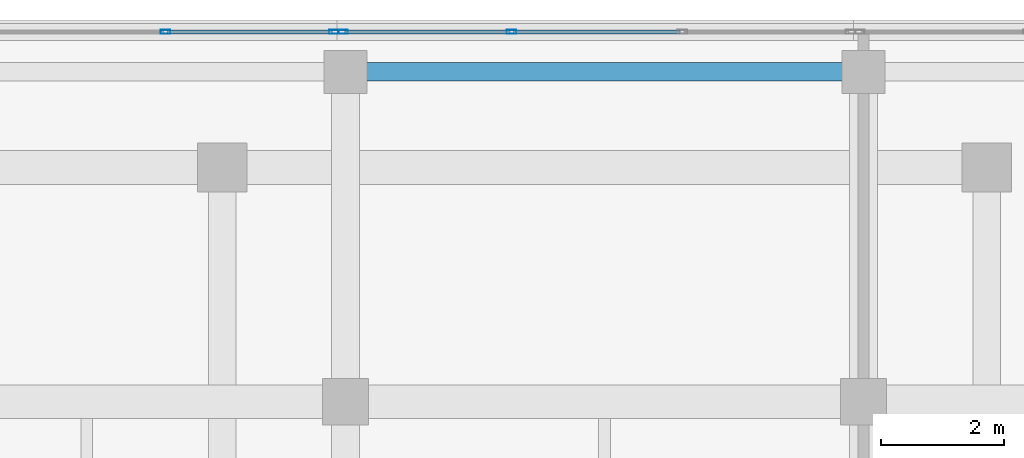
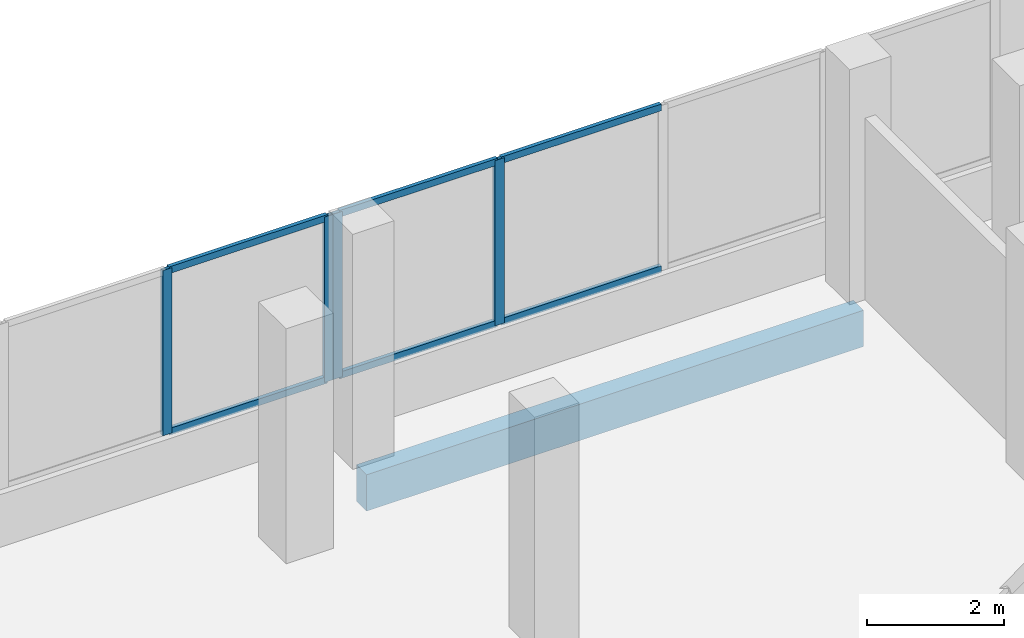
# One storey, part 102 of 184: 10 members, 1 beam, 2 elements without a shape of their own.
"""IFC4 building model written with IfcOpenShell, lengths in metres."""

from ifc_helpers import new_model, si_unit, direction, frame, origin, origin_2d, place, context, subcontext, project, spatial, rectangle, hollow_rectangle, extrude, material, material_profile, profile_set, type_object, element, aggregate, save


model = new_model("IFC4")

# Units and contexts
model_context = context("Model", 3, precision=1e-05, world=origin(), true_north=direction((0.0, 1.0)))
body_context = subcontext(model_context, "Body", "Model", "MODEL_VIEW")
ifc_project = project(units=[si_unit("LENGTHUNIT", "METRE"), si_unit("AREAUNIT", "SQUARE_METRE"), si_unit("VOLUMEUNIT", "CUBIC_METRE"), si_unit("PLANEANGLEUNIT", "RADIAN"), si_unit("MASSUNIT", "GRAM", prefix="KILO")], contexts=[model_context])

# Site, building, storey
site_placement = place(None, origin())
site = spatial("IfcSite", under=ifc_project, at=site_placement, CompositionType="ELEMENT")
building_placement = place(site_placement, origin())
building = spatial("IfcBuilding", under=site, at=building_placement, Name="Selatvlak General Hospital", CompositionType="ELEMENT")
storey_placement = place(building_placement, frame((0.0, 0.0, 15.0)))
storey = spatial("IfcBuildingStorey", under=building, at=storey_placement, Name="L03", CompositionType="ELEMENT", Elevation=15.0)

# Beam
ifc_material_1 = material(Name="Concrete C40/50", Category="concrete")
ifc_material_profile_1 = material_profile(ifc_material_1, rectangle(XDim=0.300048828125, YDim=0.64990234375, at=origin_2d()), Name="RC-SP 300x650")
ifc_profile_set_1 = profile_set([ifc_material_profile_1], Name="Concrete C40/50")
beam_type = type_object("IfcBeamType", Name="BM-SP1", PredefinedType="SPANDREL", material=ifc_profile_set_1)
beam_placement = place(storey_placement, frame((73.199951171875, 119.35009765625, -0.6650390625), z_axis=(1.0, 0.0, 0.0), x_axis=(0.0, 1.0, 0.0)))
element("IfcBeam", 1, at=beam_placement, inside=storey, type_object=beam_type, Name="Beam BMR-L03-1280", PredefinedType="SPANDREL", context=body_context, shape_type="SweptSolid", body=[
    extrude(rectangle(XDim=0.300048828125, YDim=0.64990234375, at=origin_2d()), origin(), (0.0, 0.0, 1.0), 8.400146484375),
])

# Curtain wall, members
ifc_material_2 = material(Name="Solar-control Low-E double glazing", Category="glass")
curtain_wall_type_1 = type_object("IfcCurtainWallType", Name="CW-CW-01", PredefinedType="USERDEFINED", material=ifc_material_2)
curtain_wall_1_placement = place(storey_placement, origin())
curtain_wall_1 = element("IfcCurtainWall", 2, at=curtain_wall_1_placement, inside=storey, type_object=curtain_wall_type_1, Name="Glazed facade curtain wall CW-L03-0370", ObjectType="UNITISED CURTAIN WALL", PredefinedType="USERDEFINED")
ifc_material_3 = material(Name="Dark anodised aluminium mullion", Category="aluminium")
ifc_material_profile_2 = material_profile(ifc_material_3, hollow_rectangle(XDim=0.06494140625, YDim=0.159912109375, WallThickness=0.00390625, at=origin_2d()), Name="AL-MUL 65x160x4")
ifc_profile_set_2 = profile_set([ifc_material_profile_2], Name="Dark anodised aluminium mullion")
member_type_1 = type_object("IfcMemberType", Name="CWM-01", PredefinedType="MULLION", material=ifc_profile_set_2)
member_1_placement = place(storey_placement, frame((70.2783203125, 119.9990234375, 0.93994140625), z_axis=(0.0, 0.0, 1.0), x_axis=(0.0, 1.0, 0.0)))
member_1 = element("IfcMember", 3, at=member_1_placement, type_object=member_type_1, Name="CW-01 mullion 3", PredefinedType="MULLION", context=body_context, shape_type="SweptSolid", body=[
    extrude(hollow_rectangle(XDim=0.06494140625, YDim=0.159912109375, WallThickness=0.00390625, at=origin_2d()), origin(), (0.0, 0.0, 1.0), 2.955078125),
])
member_2_placement = place(storey_placement, frame((73.012451171875, 119.9990234375, 0.93994140625), z_axis=(0.0, 0.0, 1.0), x_axis=(0.0, 1.0, 0.0)))
member_2 = element("IfcMember", 4, at=member_2_placement, type_object=member_type_1, Name="CW-01 mullion 4", PredefinedType="MULLION", context=body_context, shape_type="SweptSolid", body=[
    extrude(hollow_rectangle(XDim=0.06494140625, YDim=0.159912109375, WallThickness=0.00390625, at=origin_2d()), origin(), (0.0, 0.0, 1.0), 2.955078125),
])

curtain_wall_type_2 = type_object("IfcCurtainWallType", Name="CW-CW-02", PredefinedType="USERDEFINED", material=ifc_material_2)
curtain_wall_2_placement = place(storey_placement, origin())
curtain_wall_2 = element("IfcCurtainWall", 5, at=curtain_wall_2_placement, inside=storey, type_object=curtain_wall_type_2, Name="Glazed facade curtain wall CW-L03-0371", ObjectType="UNITISED CURTAIN WALL", PredefinedType="USERDEFINED")
member_3_placement = place(storey_placement, frame((73.157470703125, 119.9990234375, 0.93994140625), z_axis=(0.0, 0.0, 1.0), x_axis=(0.0, 1.0, 0.0)))
member_3 = element("IfcMember", 6, at=member_3_placement, type_object=member_type_1, Name="CW-02 mullion 1", PredefinedType="MULLION", context=body_context, shape_type="SweptSolid", body=[
    extrude(hollow_rectangle(XDim=0.06494140625, YDim=0.159912109375, WallThickness=0.00390625, at=origin_2d()), origin(), (0.0, 0.0, 1.0), 2.955078125),
])
member_4_placement = place(storey_placement, frame((75.8916015625, 119.9990234375, 0.93994140625), z_axis=(0.0, 0.0, 1.0), x_axis=(0.0, 1.0, 0.0)))
member_4 = element("IfcMember", 7, at=member_4_placement, type_object=member_type_1, Name="CW-02 mullion 2", PredefinedType="MULLION", context=body_context, shape_type="SweptSolid", body=[
    extrude(hollow_rectangle(XDim=0.06494140625, YDim=0.159912109375, WallThickness=0.00390625, at=origin_2d()), origin(), (0.0, 0.0, 1.0), 2.955078125),
])

# Member
ifc_material_profile_3 = material_profile(ifc_material_3, hollow_rectangle(XDim=0.06494140625, YDim=0.1201171875, WallThickness=0.00390625, at=origin_2d()), Name="AL-TRN 65x120x4")
ifc_profile_set_3 = profile_set([ifc_material_profile_3], Name="Dark anodised aluminium mullion")
member_type_2 = type_object("IfcMemberType", Name="CWT-01", PredefinedType="USERDEFINED", material=ifc_profile_set_3)
member_5_placement = place(storey_placement, frame((70.310791015625, 119.9990234375, 0.972412109375), z_axis=(1.0, 0.0, 0.0), x_axis=(0.0, 1.0, 0.0)))
member_5 = element("IfcMember", 8, at=member_5_placement, type_object=member_type_2, Name="CW-01 transom 3.1", ObjectType="TRANSOM", PredefinedType="USERDEFINED", context=body_context, shape_type="SweptSolid", body=[
    extrude(hollow_rectangle(XDim=0.06494140625, YDim=0.1201171875, WallThickness=0.00390625, at=origin_2d()), origin(), (0.0, 0.0, 1.0), 2.669189453125),
])

member_6_placement = place(storey_placement, frame((70.310791015625, 119.9990234375, 3.862548828125), z_axis=(1.0, 0.0, 0.0), x_axis=(0.0, 1.0, 0.0)))
member_6 = element("IfcMember", 9, at=member_6_placement, type_object=member_type_2, Name="CW-01 transom 3.2", ObjectType="TRANSOM", PredefinedType="USERDEFINED", context=body_context, shape_type="SweptSolid", body=[
    extrude(hollow_rectangle(XDim=0.06494140625, YDim=0.1201171875, WallThickness=0.00390625, at=origin_2d()), origin(), (0.0, 0.0, 1.0), 2.669189453125),
])

aggregate(curtain_wall_1, [member_1, member_2, member_5, member_6])

member_7_placement = place(storey_placement, frame((73.18994140625, 119.9990234375, 0.972412109375), z_axis=(1.0, 0.0, 0.0), x_axis=(0.0, 1.0, 0.0)))
member_7 = element("IfcMember", 10, at=member_7_placement, type_object=member_type_2, Name="CW-02 transom 1.1", ObjectType="TRANSOM", PredefinedType="USERDEFINED", context=body_context, shape_type="SweptSolid", body=[
    extrude(hollow_rectangle(XDim=0.06494140625, YDim=0.1201171875, WallThickness=0.00390625, at=origin_2d()), origin(), (0.0, 0.0, 1.0), 2.669189453125),
])

member_8_placement = place(storey_placement, frame((73.18994140625, 119.9990234375, 3.862548828125), z_axis=(1.0, 0.0, 0.0), x_axis=(0.0, 1.0, 0.0)))
member_8 = element("IfcMember", 11, at=member_8_placement, type_object=member_type_2, Name="CW-02 transom 1.2", ObjectType="TRANSOM", PredefinedType="USERDEFINED", context=body_context, shape_type="SweptSolid", body=[
    extrude(hollow_rectangle(XDim=0.06494140625, YDim=0.1201171875, WallThickness=0.00390625, at=origin_2d()), origin(), (0.0, 0.0, 1.0), 2.669189453125),
])

member_9_placement = place(storey_placement, frame((75.924072265625, 119.9990234375, 0.972412109375), z_axis=(1.0, 0.0, 0.0), x_axis=(0.0, 1.0, 0.0)))
member_9 = element("IfcMember", 12, at=member_9_placement, type_object=member_type_2, Name="CW-02 transom 2.1", ObjectType="TRANSOM", PredefinedType="USERDEFINED", context=body_context, shape_type="SweptSolid", body=[
    extrude(hollow_rectangle(XDim=0.06494140625, YDim=0.1201171875, WallThickness=0.00390625, at=origin_2d()), origin(), (0.0, 0.0, 1.0), 2.70166015625),
])

member_10_placement = place(storey_placement, frame((75.924072265625, 119.9990234375, 3.862548828125), z_axis=(1.0, 0.0, 0.0), x_axis=(0.0, 1.0, 0.0)))
member_10 = element("IfcMember", 13, at=member_10_placement, type_object=member_type_2, Name="CW-02 transom 2.2", ObjectType="TRANSOM", PredefinedType="USERDEFINED", context=body_context, shape_type="SweptSolid", body=[
    extrude(hollow_rectangle(XDim=0.06494140625, YDim=0.1201171875, WallThickness=0.00390625, at=origin_2d()), origin(), (0.0, 0.0, 1.0), 2.70166015625),
])

aggregate(curtain_wall_2, [member_3, member_4, member_7, member_8, member_9, member_10])

save(model, "model.ifc")
